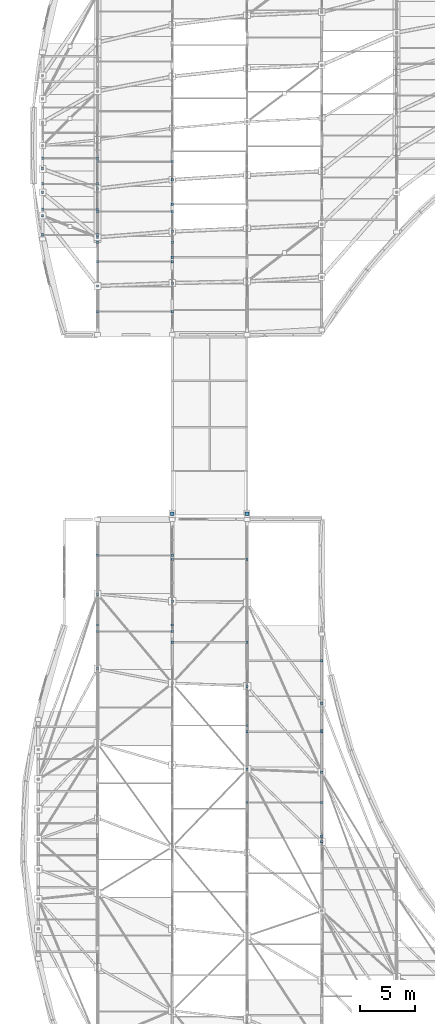
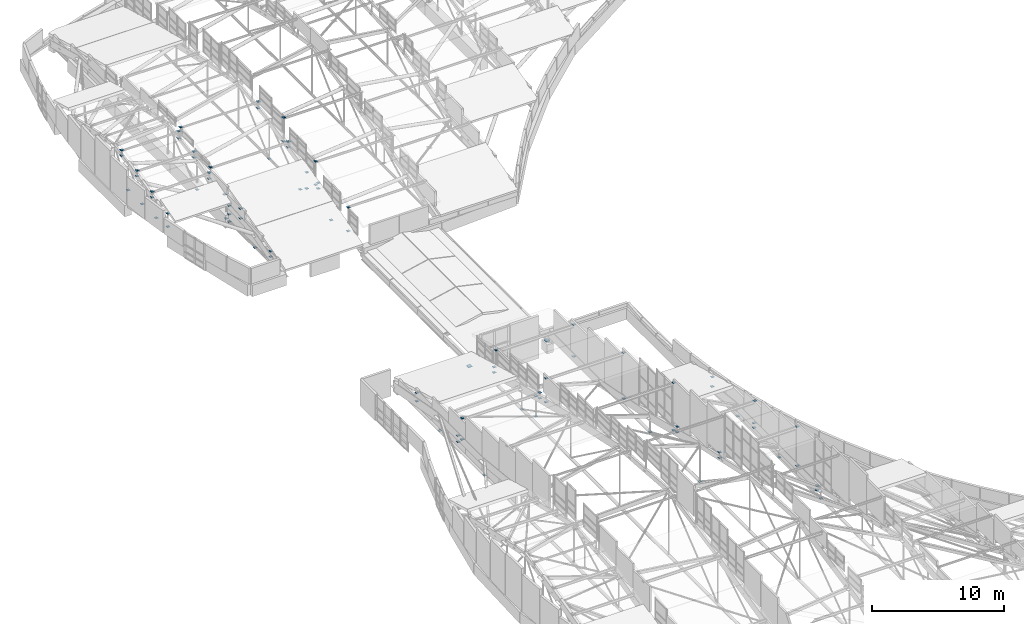
# One storey, part 178 of 188: 91 discrete accessories.
"""IFC4 building model written with IfcOpenShell, lengths in metres."""

from ifc_helpers import new_model, si_unit, direction, frame, origin, origin_2d, place, context, subcontext, project, spatial, rectangle, extrude, material, layer, layer_set, type_object, element, save


model = new_model("IFC4")

# Units and contexts
model_context = context("Model", 3, precision=1e-05, world=origin(), true_north=direction((0.0, 1.0)))
body_context = subcontext(model_context, "Body", "Model", "MODEL_VIEW")
ifc_project = project(units=[si_unit("LENGTHUNIT", "METRE"), si_unit("AREAUNIT", "SQUARE_METRE"), si_unit("VOLUMEUNIT", "CUBIC_METRE"), si_unit("PLANEANGLEUNIT", "RADIAN"), si_unit("MASSUNIT", "GRAM", prefix="KILO")], contexts=[model_context])

# Site, building, storey
site_placement = place(None, origin())
site = spatial("IfcSite", under=ifc_project, at=site_placement, CompositionType="ELEMENT")
building_placement = place(site_placement, origin())
building = spatial("IfcBuilding", under=site, at=building_placement, Name="Kisaragi Civic Commons", CompositionType="ELEMENT")
storey_placement = place(building_placement, frame((0.0, 0.0, 9.60009765625)))
storey = spatial("IfcBuildingStorey", under=building, at=storey_placement, Name="L02", CompositionType="ELEMENT", Elevation=9.60009765625)

# Discrete accessories
ifc_material = material(Name="Steel SN490 (SN490B)", Category="steel")
ifc_layer_1 = layer(ifc_material, 0.02392578125, Name="Steel SN490 (SN490B)", Category="steel")
ifc_layer_set_1 = layer_set([ifc_layer_1], Name="Steel SN490 (SN490B)")
discrete_accessory_type_1 = type_object("IfcDiscreteAccessoryType", Name="CN-01", PredefinedType="SHOE", material=ifc_layer_set_1)
for number, where, z_axis, x_axis, name in (
    (1, (6.800048828125, 48.819091796875, -0.703125), (0.0, 0.0, 1.0), (1.0, 0.0, 0.0), "Brace/strut steel end connection 60"),
    (2, (6.800048828125, 55.609619140625, -0.703125), (0.0, 0.0, 1.0), (1.0, 0.0, 0.0), "Brace/strut steel end connection 61"),
    (3, (13.60009765625, 54.955078125, -0.703125), (0.0, 0.0, 1.0), (1.0, 0.0, 0.0), "Brace/strut steel end connection 68"),
    (4, (20.39990234375, 39.66748046875, -0.511474609375), (0.0, 0.0, 1.0), (1.0, 0.0, 0.0), "Brace/strut steel end connection 73"),
    (5, (20.39990234375, 47.2451171875, -0.511474609375), (0.0, 0.0, 1.0), (1.0, 0.0, 0.0), "Brace/strut steel end connection 74"),
    (6, (27.199951171875, 33.09521484375, -0.470947265625), (0.0, 0.0, 1.0), (1.0, 0.0, 0.0), "Brace/strut steel end connection 79"),
    (7, (27.199951171875, 39.389892578125, -0.470947265625), (0.0, 0.0, 1.0), (1.0, 0.0, 0.0), "Brace/strut steel end connection 80"),
    (8, (27.199951171875, 45.684326171875, -0.470947265625), (0.0, 0.0, 1.0), (1.0, 0.0, 0.0), "Brace/strut steel end connection 81"),
    (9, (6.800048828125, 52.800048828125, -0.031982421875), (0.0, 0.0, 1.0), (1.0, 0.0, 0.0), "Brace/strut steel end connection 110"),
    (10, (6.800048828125, 52.800048828125, 0.555419921875), (0.0, 0.0, 1.0), (1.0, 0.0, 0.0), "Brace/strut steel end connection 111"),
    (11, (13.60009765625, 52.800048828125, -0.031982421875), (0.0, 0.0, 1.0), (1.0, 0.0, 0.0), "Brace/strut steel end connection 112"),
    (12, (13.60009765625, 52.800048828125, 1.846435546875), (0.0, 0.0, 1.0), (1.0, 0.0, 0.0), "Brace/strut steel end connection 113"),
    (13, (27.199951171875, 33.60009765625, -0.031982421875), (0.0, 0.0, 1.0), (1.0, 0.0, 0.0), "Brace/strut steel end connection 122"),
    (14, (27.199951171875, 33.60009765625, 0.40380859375), (0.0, 0.0, 1.0), (1.0, 0.0, 0.0), "Brace/strut steel end connection 123"),
    (15, (27.199951171875, 43.199951171875, -0.031982421875), (0.0, 0.0, 1.0), (1.0, 0.0, 0.0), "Brace/strut steel end connection 124"),
    (16, (27.199951171875, 43.199951171875, 0.40380859375), (0.0, 0.0, 1.0), (1.0, 0.0, 0.0), "Brace/strut steel end connection 125"),
    (17, (6.800048828125, 52.21044921875, 0.555419921875), (0.0, 0.0, 1.0), (1.0, 0.0, 0.0), "Brace/strut steel end connection 182"),
    (18, (6.800048828125, 52.21044921875, 2.51708984375), (0.0, 0.0, 1.0), (1.0, 0.0, 0.0), "Brace/strut steel end connection 183"),
    (19, (13.60009765625, 52.21044921875, 1.991455078125), (0.0, 0.0, 1.0), (1.0, 0.0, 0.0), "Brace/strut steel end connection 184"),
    (20, (13.60009765625, 52.21044921875, 2.51708984375), (0.0, 0.0, 1.0), (1.0, 0.0, 0.0), "Brace/strut steel end connection 185"),
    (21, (6.800048828125, 59.12353515625, -0.095947265625), (0.0, 0.0, 1.0), (1.0, 0.0, 0.0), "Brace/strut steel end connection 186"),
    (22, (6.800048828125, 59.12353515625, 0.693115234375), (0.0, 0.0, 1.0), (1.0, 0.0, 0.0), "Brace/strut steel end connection 187"),
    (23, (13.60009765625, 59.12353515625, 0.185791015625), (0.0, 0.0, 1.0), (1.0, 0.0, 0.0), "Brace/strut steel end connection 188"),
    (24, (13.60009765625, 59.12353515625, 0.693115234375), (0.0, 0.0, 1.0), (1.0, 0.0, 0.0), "Brace/strut steel end connection 189"),
    (25, (20.39990234375, 43.66162109375, 1.849609375), (0.0, 0.0, 1.0), (1.0, 0.0, 0.0), "Brace/strut steel end connection 212"),
    (26, (20.39990234375, 43.66162109375, 6.23095703125), (0.0, 0.0, 1.0), (1.0, 0.0, 0.0), "Brace/strut steel end connection 213"),
    (27, (13.60009765625, 51.22900390625, 2.232666015625), (0.0, 0.0, 1.0), (1.0, 0.0, 0.0), "Brace/strut steel end connection 214"),
    (28, (13.60009765625, 51.22900390625, 4.4453125), (0.0, 0.0, 1.0), (1.0, 0.0, 0.0), "Brace/strut steel end connection 215"),
    (29, (20.39990234375, 51.22900390625, 0.1767578125), (0.0, 0.0, 1.0), (1.0, 0.0, 0.0), "Brace/strut steel end connection 216"),
    (30, (20.39990234375, 51.22900390625, 4.4453125), (0.0, 0.0, 1.0), (1.0, 0.0, 0.0), "Brace/strut steel end connection 217"),
    (31, (13.60009765625, 58.79638671875, 2.44921875), (0.0, 0.0, 1.0), (1.0, 0.0, 0.0), "Brace/strut steel end connection 218"),
    (32, (20.39990234375, 58.79638671875, -0.511474609375), (0.0, 0.0, 1.0), (1.0, 0.0, 0.0), "Brace/strut steel end connection 219"),
    (33, (20.39990234375, 58.79638671875, 2.44921875), (0.0, 0.0, 1.0), (1.0, 0.0, 0.0), "Brace/strut steel end connection 220"),
    (34, (20.39990234375, 36.653076171875, 3.521240234375), (0.0, 0.0, 1.0), (1.0, 0.0, 0.0), "Brace/strut steel end connection 241"),
    (35, (20.39990234375, 36.653076171875, 4.045166015625), (0.0, 0.0, 1.0), (1.0, 0.0, 0.0), "Brace/strut steel end connection 242"),
    (36, (27.199951171875, 36.653076171875, 0.40380859375), (0.0, 0.0, 1.0), (1.0, 0.0, 0.0), "Brace/strut steel end connection 243"),
    (37, (27.199951171875, 36.653076171875, 4.045166015625), (0.0, 0.0, 1.0), (1.0, 0.0, 0.0), "Brace/strut steel end connection 244"),
    (38, (20.39990234375, 43.103515625, 1.9912109375), (0.0, 0.0, 1.0), (1.0, 0.0, 0.0), "Brace/strut steel end connection 245"),
    (39, (20.39990234375, 43.103515625, 2.522705078125), (0.0, 0.0, 1.0), (1.0, 0.0, 0.0), "Brace/strut steel end connection 246"),
    (40, (27.199951171875, 43.103515625, 2.522705078125), (0.0, 0.0, 1.0), (1.0, 0.0, 0.0), "Brace/strut steel end connection 247"),
    (41, (27.199951171875, 49.5537109375, -0.07373046875), (0.0, 0.0, 1.0), (1.0, 0.0, 0.0), "Brace/strut steel end connection 248"),
    (42, (27.199951171875, 49.5537109375, 0.820556640625), (0.0, 0.0, 1.0), (1.0, 0.0, 0.0), "Brace/strut steel end connection 249"),
    (43, (1.800048828125, 90.037109375, -0.092041015625), (0.0, 0.0, 1.0), (1.0, 0.0, 0.0), "Brace/strut steel end connection 327"),
    (44, (1.800048828125, 92.158203125, -0.092041015625), (0.0, 0.0, 1.0), (1.0, 0.0, 0.0), "Brace/strut steel end connection 328"),
    (45, (1.800048828125, 94.279052734375, -0.092041015625), (0.0, 0.0, 1.0), (1.0, 0.0, 0.0), "Brace/strut steel end connection 329"),
    (46, (6.800048828125, 87.60009765625, -0.711181640625), (0.0, 0.0, 1.0), (1.0, 0.0, 0.0), "Brace/strut steel end connection 334"),
    (47, (6.800048828125, 83.62890625, -0.711181640625), (0.0, 0.0, 1.0), (1.0, 0.0, 0.0), "Brace/strut steel end connection 336"),
    (48, (6.800048828125, 88.0576171875, -0.711181640625), (0.0, 0.0, 1.0), (1.0, 0.0, 0.0), "Brace/strut steel end connection 337"),
    (49, (6.800048828125, 92.486572265625, -0.711181640625), (0.0, 0.0, 1.0), (1.0, 0.0, 0.0), "Brace/strut steel end connection 338"),
    (50, (13.60009765625, 83.896240234375, -0.711181640625), (0.0, 0.0, 1.0), (1.0, 0.0, 0.0), "Brace/strut steel end connection 343"),
    (51, (13.60009765625, 88.592529296875, -0.711181640625), (0.0, 0.0, 1.0), (1.0, 0.0, 0.0), "Brace/strut steel end connection 344"),
    (52, (13.60009765625, 93.288818359375, -0.711181640625), (0.0, 0.0, 1.0), (1.0, 0.0, 0.0), "Brace/strut steel end connection 345"),
    (53, (6.800048828125, 87.60009765625, -0.031982421875), (0.0, 0.0, 1.0), (1.0, 0.0, 0.0), "Brace/strut steel end connection 393"),
    (54, (6.800048828125, 87.60009765625, 0.77392578125), (0.0, 0.0, 1.0), (1.0, 0.0, 0.0), "Brace/strut steel end connection 394"),
    (55, (13.60009765625, 87.60009765625, -0.031982421875), (0.0, 0.0, 1.0), (1.0, 0.0, 0.0), "Brace/strut steel end connection 400"),
    (56, (13.60009765625, 87.60009765625, 1.47705078125), (0.0, 0.0, 1.0), (1.0, 0.0, 0.0), "Brace/strut steel end connection 401"),
    (57, (1.800048828125, 88.276611328125, 0.152587890625), (0.0, 0.0, 1.0), (1.0, 0.0, 0.0), "Brace/strut steel end connection 417"),
    (58, (1.800048828125, 88.276611328125, 1.392333984375), (0.0, 0.0, 1.0), (1.0, 0.0, 0.0), "Brace/strut steel end connection 418"),
    (59, (6.800048828125, 88.276611328125, 1.392333984375), (0.0, 0.0, 1.0), (1.0, 0.0, 0.0), "Brace/strut steel end connection 419"),
    (60, (1.800048828125, 90.59765625, 1.48681640625), (0.0, 0.0, 1.0), (1.0, 0.0, 0.0), "Brace/strut steel end connection 420"),
    (61, (1.800048828125, 90.59765625, 2.006591796875), (0.0, 0.0, 1.0), (1.0, 0.0, 0.0), "Brace/strut steel end connection 421"),
    (62, (6.800048828125, 90.59765625, 1.460693359375), (0.0, 0.0, 1.0), (1.0, 0.0, 0.0), "Brace/strut steel end connection 422"),
    (63, (6.800048828125, 90.59765625, 2.006591796875), (0.0, 0.0, 1.0), (1.0, 0.0, 0.0), "Brace/strut steel end connection 423"),
    (64, (1.800048828125, 92.918701171875, 2.04248046875), (0.0, 0.0, 1.0), (1.0, 0.0, 0.0), "Brace/strut steel end connection 424"),
    (65, (1.800048828125, 92.918701171875, 2.55615234375), (0.0, 0.0, 1.0), (1.0, 0.0, 0.0), "Brace/strut steel end connection 425"),
    (66, (6.800048828125, 92.918701171875, 2.01611328125), (0.0, 0.0, 1.0), (1.0, 0.0, 0.0), "Brace/strut steel end connection 426"),
    (67, (6.800048828125, 92.918701171875, 2.55615234375), (0.0, 0.0, 1.0), (1.0, 0.0, 0.0), "Brace/strut steel end connection 427"),
    (68, (1.800048828125, 95.239501953125, 2.531982421875), (0.0, 0.0, 1.0), (1.0, 0.0, 0.0), "Brace/strut steel end connection 428"),
    (69, (1.800048828125, 95.239501953125, 3.04248046875), (0.0, 0.0, 1.0), (1.0, 0.0, 0.0), "Brace/strut steel end connection 429"),
    (70, (6.800048828125, 95.239501953125, 2.389404296875), (0.0, 0.0, 1.0), (1.0, 0.0, 0.0), "Brace/strut steel end connection 430"),
    (71, (6.800048828125, 95.239501953125, 3.04248046875), (0.0, 0.0, 1.0), (1.0, 0.0, 0.0), "Brace/strut steel end connection 431"),
    (72, (6.800048828125, 81.295654296875, -0.145751953125), (0.0, 0.0, 1.0), (1.0, 0.0, 0.0), "Brace/strut steel end connection 447"),
    (73, (6.800048828125, 81.295654296875, 0.361083984375), (0.0, 0.0, 1.0), (1.0, 0.0, 0.0), "Brace/strut steel end connection 448"),
    (74, (13.60009765625, 81.295654296875, -0.145263671875), (0.0, 0.0, 1.0), (1.0, 0.0, 0.0), "Brace/strut steel end connection 449"),
    (75, (13.60009765625, 81.295654296875, 2.04833984375), (0.0, 0.0, 1.0), (1.0, 0.0, 0.0), "Brace/strut steel end connection 450"),
    (76, (6.800048828125, 85.846923828125, 0.645751953125), (0.0, 0.0, 1.0), (1.0, 0.0, 0.0), "Brace/strut steel end connection 451"),
    (77, (6.800048828125, 85.846923828125, 1.5625), (0.0, 0.0, 1.0), (1.0, 0.0, 0.0), "Brace/strut steel end connection 452"),
    (78, (13.60009765625, 85.846923828125, 1.04150390625), (0.0, 0.0, 1.0), (1.0, 0.0, 0.0), "Brace/strut steel end connection 453"),
    (79, (13.60009765625, 85.846923828125, 1.5625), (0.0, 0.0, 1.0), (1.0, 0.0, 0.0), "Brace/strut steel end connection 454"),
    (80, (6.800048828125, 90.3984375, 2.637451171875), (0.0, 0.0, 1.0), (1.0, 0.0, 0.0), "Brace/strut steel end connection 455"),
    (81, (13.60009765625, 90.3984375, 2.120361328125), (0.0, 0.0, 1.0), (1.0, 0.0, 0.0), "Brace/strut steel end connection 456"),
    (82, (13.60009765625, 90.3984375, 2.637451171875), (0.0, 0.0, 1.0), (1.0, 0.0, 0.0), "Brace/strut steel end connection 457"),
    (83, (6.800048828125, 94.94970703125, 3.587890625), (0.0, 0.0, 1.0), (1.0, 0.0, 0.0), "Brace/strut steel end connection 458"),
    (84, (13.60009765625, 94.94970703125, 2.974365234375), (0.0, 0.0, 1.0), (1.0, 0.0, 0.0), "Brace/strut steel end connection 459"),
    (85, (13.60009765625, 94.94970703125, 3.587890625), (0.0, 0.0, 1.0), (1.0, 0.0, 0.0), "Brace/strut steel end connection 460"),
    (86, (13.60009765625, 86.248291015625, 1.141357421875), (0.0, 0.0, 1.0), (1.0, 0.0, 0.0), "Brace/strut steel end connection 478"),
    (87, (13.60009765625, 86.248291015625, 3.3203125), (0.0, 0.0, 1.0), (1.0, 0.0, 0.0), "Brace/strut steel end connection 479"),
    (88, (13.60009765625, 91.06689453125, 2.267333984375), (0.0, 0.0, 1.0), (1.0, 0.0, 0.0), "Brace/strut steel end connection 482"),
    (89, (13.60009765625, 91.06689453125, 4.458251953125), (0.0, 0.0, 1.0), (1.0, 0.0, 0.0), "Brace/strut steel end connection 483"),
):
    element("IfcDiscreteAccessory", number, at=place(storey_placement, frame(where, z_axis=z_axis, x_axis=x_axis)), inside=storey, type_object=discrete_accessory_type_1, Name=name, PredefinedType="SHOE", context=body_context, shape_type="SweptSolid", body=[
        extrude(rectangle(XDim=0.219970703125, YDim=0.219970703125, at=origin_2d()), origin(), (0.0, 0.0, 1.0), 0.02392578125),
    ])
ifc_layer_2 = layer(ifc_material, 0.06494140625, Name="Steel SN490 (SN490B)", Category="steel")
ifc_layer_set_2 = layer_set([ifc_layer_2], Name="Steel SN490 (SN490B)")
discrete_accessory_type_2 = type_object("IfcDiscreteAccessoryType", Name="SB-01", PredefinedType="USERDEFINED", material=ifc_layer_set_2)
for number, where, z_axis, x_axis, name in (
    (90, (13.60009765625, 62.909912109375, -1.55517578125), (0.0, 0.0, 1.0), (1.0, 0.0, 0.0), "PTFE sliding bearing SB-01 11"),
    (91, (20.39990234375, 62.909912109375, -1.55517578125), (0.0, 0.0, 1.0), (1.0, 0.0, 0.0), "PTFE sliding bearing SB-01 12"),
):
    element("IfcDiscreteAccessory", number, at=place(storey_placement, frame(where, z_axis=z_axis, x_axis=x_axis)), inside=storey, type_object=discrete_accessory_type_2, Name=name, ObjectType="SLIDING BEARING", PredefinedType="USERDEFINED", context=body_context, shape_type="SweptSolid", body=[
        extrude(rectangle(XDim=0.340087890625, YDim=0.340087890625, at=origin_2d()), origin(), (0.0, 0.0, 1.0), 0.06494140625),
    ])

save(model, "model.ifc")
